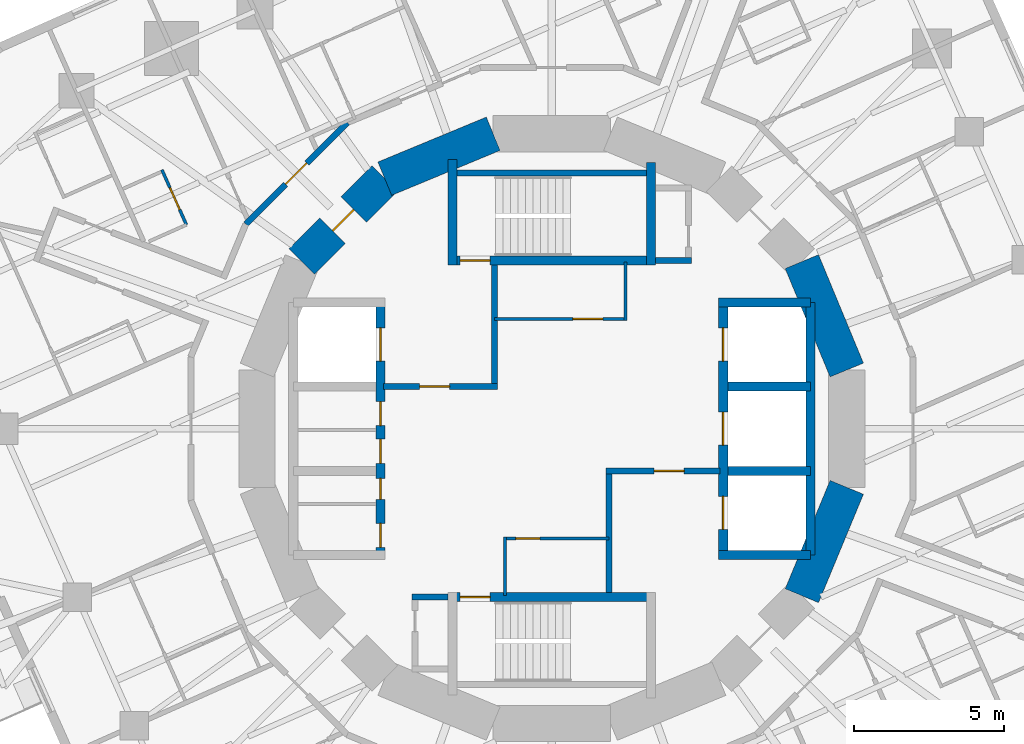
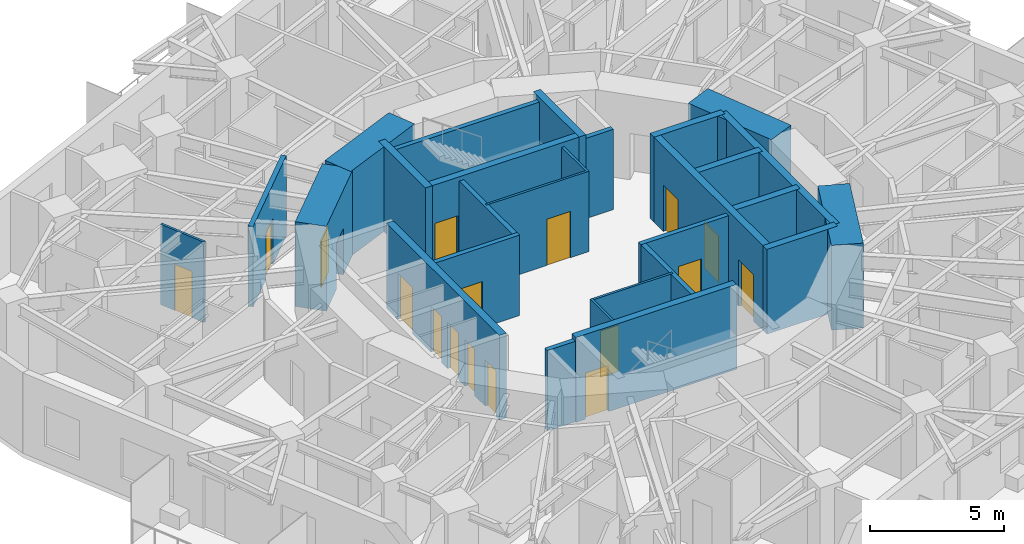
# One storey, part 7 of 12: 28 walls, 17 doors, 17 openings.
"""IFC4 building model written with IfcOpenShell, lengths in metres."""

from ifc_helpers import new_model, si_unit, direction, frame, frame_2d, origin, place, context, subcontext, project, spatial, rectangle, extrude, material, layer, layer_set, type_object, element, fill, save


model = new_model("IFC4")

# Units and contexts
model_context = context("Model", 3, precision=1e-05, world=origin(), true_north=direction((0.0, 1.0)))
body_context = subcontext(model_context, "Body", "Model", "MODEL_VIEW")
ifc_project = project(units=[si_unit("LENGTHUNIT", "METRE"), si_unit("AREAUNIT", "SQUARE_METRE"), si_unit("VOLUMEUNIT", "CUBIC_METRE"), si_unit("PLANEANGLEUNIT", "RADIAN"), si_unit("MASSUNIT", "GRAM", prefix="KILO")], contexts=[model_context])

# Site, building, storey
site_placement = place(None, origin())
site = spatial("IfcSite", under=ifc_project, at=site_placement, CompositionType="ELEMENT")
building_placement = place(site_placement, origin())
building = spatial("IfcBuilding", under=site, at=building_placement, Name="Nakasero Lantern House", CompositionType="ELEMENT")
storey_placement = place(building_placement, frame((0.0, 0.0, 194.0)))
storey = spatial("IfcBuildingStorey", under=building, at=storey_placement, Name="L47", CompositionType="ELEMENT", Elevation=194.0)

# Wall, openings, doors
ifc_material_1 = material(Name="Concrete C50/60", Category="concrete")
ifc_layer_1 = layer(ifc_material_1, 0.300048828125)
ifc_layer_set_1 = layer_set([ifc_layer_1], Name="Core inner wall 300")
wall_type_1 = type_object("IfcWallType", Name="Core inner wall 300", PredefinedType="SHEAR", material=ifc_layer_set_1)
wall_1_placement = place(storey_placement, frame((-5.699951171875, -4.199951171875, 0.0), z_axis=(0.0, 0.0, 1.0), x_axis=(0.0, 1.0, 0.0)))
wall_1 = element("IfcWall", 1, at=wall_1_placement, inside=storey, type_object=wall_type_1, Name="Core inner wall L47 LW", PredefinedType="SHEAR", context=body_context, shape_type="SweptSolid", body=[
    extrude(rectangle(XDim=8.39990234375, YDim=0.300048828125, at=frame_2d((4.199951171875, 0.0))), origin(), (0.0, 0.0, 1.0), 3.85009765625),
])
opening_1_placement = place(wall_1_placement, frame((0.25, 0.0, 0.0)))
opening_1 = element("IfcOpeningElement", 2, at=opening_1_placement, cuts=wall_1, Name="Opening D19", PredefinedType="OPENING", context=body_context, shape_type="SweptSolid", body=[
    extrude(rectangle(XDim=0.800048828125, YDim=2.10009765625, at=frame_2d((0.39990234375, 1.050048828125))), frame((0.0, 0.169921875, 0.0), z_axis=(0.0, -1.0, 0.0), x_axis=(1.0, 0.0, 0.0)), (0.0, 0.0, 1.0), 0.340087890625),
])
opening_2_placement = place(wall_1_placement, frame((1.85009765625, 0.0, 0.0)))
opening_2 = element("IfcOpeningElement", 3, at=opening_2_placement, cuts=wall_1, Name="Opening D20", PredefinedType="OPENING", context=body_context, shape_type="SweptSolid", body=[
    extrude(rectangle(XDim=0.699951171875, YDim=2.10009765625, at=frame_2d((0.35009765625, 1.050048828125))), frame((0.0, 0.169921875, 0.0), z_axis=(0.0, -1.0, 0.0), x_axis=(1.0, 0.0, 0.0)), (0.0, 0.0, 1.0), 0.340087890625),
])
opening_3_placement = place(wall_1_placement, frame((3.050048828125, 0.0, 0.0)))
opening_3 = element("IfcOpeningElement", 4, at=opening_3_placement, cuts=wall_1, Name="Opening D15", PredefinedType="OPENING", context=body_context, shape_type="SweptSolid", body=[
    extrude(rectangle(XDim=0.800048828125, YDim=2.10009765625, at=frame_2d((0.39990234375, 1.050048828125))), frame((0.0, 0.169921875, 0.0), z_axis=(0.0, -1.0, 0.0), x_axis=(1.0, 0.0, 0.0)), (0.0, 0.0, 1.0), 0.340087890625),
])
opening_4_placement = place(wall_1_placement, frame((4.300048828125, 0.0, 0.0)))
opening_4 = element("IfcOpeningElement", 5, at=opening_4_placement, cuts=wall_1, Name="Opening D15", PredefinedType="OPENING", context=body_context, shape_type="SweptSolid", body=[
    extrude(rectangle(XDim=0.800048828125, YDim=2.10009765625, at=frame_2d((0.39990234375, 1.050048828125))), frame((0.0, 0.169921875, 0.0), z_axis=(0.0, -1.0, 0.0), x_axis=(1.0, 0.0, 0.0)), (0.0, 0.0, 1.0), 0.340087890625),
])
opening_5_placement = place(wall_1_placement, frame((6.449951171875, 0.0, 0.0)))
opening_5 = element("IfcOpeningElement", 6, at=opening_5_placement, cuts=wall_1, Name="Opening LD", PredefinedType="OPENING", context=body_context, shape_type="SweptSolid", body=[
    extrude(rectangle(XDim=1.10009765625, YDim=2.10009765625, at=frame_2d((0.550048828125, 1.050048828125))), frame((0.0, 0.169921875, 0.0), z_axis=(0.0, -1.0, 0.0), x_axis=(1.0, 0.0, 0.0)), (0.0, 0.0, 1.0), 0.340087890625),
])
ifc_material_2 = material(Name="Timber C24", Category="wood")
door_type_1 = type_object("IfcDoorType", Name="Cleaner's store door FD30S 700", OperationType="SINGLE_SWING_LEFT", PredefinedType="DOOR", material=ifc_material_2)
door_1_placement = place(opening_2_placement, origin())
door_1 = element("IfcDoor", 7, at=door_1_placement, inside=storey, type_object=door_type_1, Name="Door L47 D-SH-LW1b", OperationType="SINGLE_SWING_LEFT", OverallHeight=2.10009765625, OverallWidth=0.699951171875, PredefinedType="DOOR", context=body_context, shape_type="SweptSolid", body=[
    extrude(rectangle(XDim=0.699951171875, YDim=2.10009765625, at=frame_2d((0.35009765625, 1.050048828125))), frame((0.0, 0.02490234375, 0.0), z_axis=(0.0, -1.0, 0.0), x_axis=(1.0, 0.0, 0.0)), (0.0, 0.0, 1.0), 0.050048828125),
])
fill(opening_2, door_1)
ifc_material_3 = material(Name="Timber C24", Category="wood")
door_type_2 = type_object("IfcDoorType", Name="Cleaner's store door FD30S 800", OperationType="SINGLE_SWING_LEFT", PredefinedType="DOOR", material=ifc_material_3)
door_2_placement = place(opening_3_placement, origin())
door_2 = element("IfcDoor", 8, at=door_2_placement, inside=storey, type_object=door_type_2, Name="Door L47 D-SH-LW2a", OperationType="SINGLE_SWING_LEFT", OverallHeight=2.10009765625, OverallWidth=0.800048828125, PredefinedType="DOOR", context=body_context, shape_type="SweptSolid", body=[
    extrude(rectangle(XDim=0.800048828125, YDim=2.10009765625, at=frame_2d((0.39990234375, 1.050048828125))), frame((0.0, 0.02490234375, 0.0), z_axis=(0.0, -1.0, 0.0), x_axis=(1.0, 0.0, 0.0)), (0.0, 0.0, 1.0), 0.050048828125),
])
fill(opening_3, door_2)
door_3_placement = place(opening_4_placement, origin())
door_3 = element("IfcDoor", 9, at=door_3_placement, inside=storey, type_object=door_type_2, Name="Door L47 D-SH-LW2b", OperationType="SINGLE_SWING_RIGHT", OverallHeight=2.10009765625, OverallWidth=0.800048828125, PredefinedType="DOOR", context=body_context, shape_type="SweptSolid", body=[
    extrude(rectangle(XDim=0.800048828125, YDim=2.10009765625, at=frame_2d((0.39990234375, 1.050048828125))), frame((0.0, 0.02490234375, 0.0), z_axis=(0.0, -1.0, 0.0), x_axis=(1.0, 0.0, 0.0)), (0.0, 0.0, 1.0), 0.050048828125),
])
fill(opening_4, door_3)
ifc_material_4 = material(Name="Steel S355", Category="steel")
door_type_3 = type_object("IfcDoorType", Name="Lift landing door E120 1100", OperationType="SLIDING_TO_LEFT", PredefinedType="DOOR", material=ifc_material_4)
door_4_placement = place(opening_5_placement, origin())
door_4 = element("IfcDoor", 10, at=door_4_placement, inside=storey, type_object=door_type_3, Name="Lift landing door LW3", OperationType="SLIDING_TO_LEFT", OverallHeight=2.10009765625, OverallWidth=1.10009765625, PredefinedType="DOOR", context=body_context, shape_type="SweptSolid", body=[
    extrude(rectangle(XDim=1.10009765625, YDim=2.10009765625, at=frame_2d((0.550048828125, 1.050048828125))), frame((0.0, 0.02490234375, 0.0), z_axis=(0.0, -1.0, 0.0), x_axis=(1.0, 0.0, 0.0)), (0.0, 0.0, 1.0), 0.050048828125),
])
fill(opening_5, door_4)
ifc_material_5 = material(Name="Steel S355", Category="steel")
door_type_4 = type_object("IfcDoorType", Name="Plant room door FD60 800", OperationType="SINGLE_SWING_LEFT", PredefinedType="DOOR", material=ifc_material_5)
door_5_placement = place(opening_1_placement, origin())
door_5 = element("IfcDoor", 11, at=door_5_placement, inside=storey, type_object=door_type_4, Name="Door L47 D-SH-LW1a", OperationType="SINGLE_SWING_LEFT", OverallHeight=2.10009765625, OverallWidth=0.800048828125, PredefinedType="DOOR", context=body_context, shape_type="SweptSolid", body=[
    extrude(rectangle(XDim=0.800048828125, YDim=2.10009765625, at=frame_2d((0.39990234375, 1.050048828125))), frame((0.0, 0.02490234375, 0.0), z_axis=(0.0, -1.0, 0.0), x_axis=(1.0, 0.0, 0.0)), (0.0, 0.0, 1.0), 0.050048828125),
])
fill(opening_1, door_5)

wall_2_placement = place(storey_placement, frame((5.699951171875, -4.199951171875, 0.0), z_axis=(0.0, 0.0, 1.0), x_axis=(0.0, 1.0, 0.0)))
wall_2 = element("IfcWall", 12, at=wall_2_placement, inside=storey, type_object=wall_type_1, Name="Core inner wall L47 LE", PredefinedType="SHEAR", context=body_context, shape_type="SweptSolid", body=[
    extrude(rectangle(XDim=8.39990234375, YDim=0.300048828125, at=frame_2d((4.199951171875, 0.0))), origin(), (0.0, 0.0, 1.0), 3.85009765625),
])
opening_6_placement = place(wall_2_placement, frame((0.85009765625, 0.0, 0.0)))
opening_6 = element("IfcOpeningElement", 13, at=opening_6_placement, cuts=wall_2, Name="Opening LD", PredefinedType="OPENING", context=body_context, shape_type="SweptSolid", body=[
    extrude(rectangle(XDim=1.10009765625, YDim=2.10009765625, at=frame_2d((0.550048828125, 1.050048828125))), frame((0.0, 0.169921875, 0.0), z_axis=(0.0, -1.0, 0.0), x_axis=(1.0, 0.0, 0.0)), (0.0, 0.0, 1.0), 0.340087890625),
])
opening_7_placement = place(wall_2_placement, frame((3.64990234375, 0.0, 0.0)))
opening_7 = element("IfcOpeningElement", 14, at=opening_7_placement, cuts=wall_2, Name="Opening LD", PredefinedType="OPENING", context=body_context, shape_type="SweptSolid", body=[
    extrude(rectangle(XDim=1.10009765625, YDim=2.10009765625, at=frame_2d((0.550048828125, 1.050048828125))), frame((0.0, 0.169921875, 0.0), z_axis=(0.0, -1.0, 0.0), x_axis=(1.0, 0.0, 0.0)), (0.0, 0.0, 1.0), 0.340087890625),
])
opening_8_placement = place(wall_2_placement, frame((6.449951171875, 0.0, 0.0)))
opening_8 = element("IfcOpeningElement", 15, at=opening_8_placement, cuts=wall_2, Name="Opening LD", PredefinedType="OPENING", context=body_context, shape_type="SweptSolid", body=[
    extrude(rectangle(XDim=1.10009765625, YDim=2.10009765625, at=frame_2d((0.550048828125, 1.050048828125))), frame((0.0, 0.169921875, 0.0), z_axis=(0.0, -1.0, 0.0), x_axis=(1.0, 0.0, 0.0)), (0.0, 0.0, 1.0), 0.340087890625),
])
door_6_placement = place(opening_6_placement, origin())
door_6 = element("IfcDoor", 16, at=door_6_placement, inside=storey, type_object=door_type_3, Name="Lift landing door LE1", OperationType="SLIDING_TO_LEFT", OverallHeight=2.10009765625, OverallWidth=1.10009765625, PredefinedType="DOOR", context=body_context, shape_type="SweptSolid", body=[
    extrude(rectangle(XDim=1.10009765625, YDim=2.10009765625, at=frame_2d((0.550048828125, 1.050048828125))), frame((0.0, 0.02490234375, 0.0), z_axis=(0.0, -1.0, 0.0), x_axis=(1.0, 0.0, 0.0)), (0.0, 0.0, 1.0), 0.050048828125),
])
fill(opening_6, door_6)
door_7_placement = place(opening_7_placement, origin())
door_7 = element("IfcDoor", 17, at=door_7_placement, inside=storey, type_object=door_type_3, Name="Lift landing door LE2", OperationType="SLIDING_TO_LEFT", OverallHeight=2.10009765625, OverallWidth=1.10009765625, PredefinedType="DOOR", context=body_context, shape_type="SweptSolid", body=[
    extrude(rectangle(XDim=1.10009765625, YDim=2.10009765625, at=frame_2d((0.550048828125, 1.050048828125))), frame((0.0, 0.02490234375, 0.0), z_axis=(0.0, -1.0, 0.0), x_axis=(1.0, 0.0, 0.0)), (0.0, 0.0, 1.0), 0.050048828125),
])
fill(opening_7, door_7)
door_8_placement = place(opening_8_placement, origin())
door_8 = element("IfcDoor", 18, at=door_8_placement, inside=storey, type_object=door_type_3, Name="Lift landing door LE3", OperationType="SLIDING_TO_LEFT", OverallHeight=2.10009765625, OverallWidth=1.10009765625, PredefinedType="DOOR", context=body_context, shape_type="SweptSolid", body=[
    extrude(rectangle(XDim=1.10009765625, YDim=2.10009765625, at=frame_2d((0.550048828125, 1.050048828125))), frame((0.0, 0.02490234375, 0.0), z_axis=(0.0, -1.0, 0.0), x_axis=(1.0, 0.0, 0.0)), (0.0, 0.0, 1.0), 0.050048828125),
])
fill(opening_8, door_8)

# Walls
for number, where, z_axis, x_axis, name in (
    (19, (5.550048828125, 4.199951171875, 0.0), (0.0, 0.0, 1.0), (1.0, 0.0, 0.0), "Core inner wall L47 LEN"),
    (20, (5.550048828125, -4.199951171875, 0.0), (0.0, 0.0, 1.0), (1.0, 0.0, 0.0), "Core inner wall L47 LES"),
):
    element("IfcWall", number, at=place(storey_placement, frame(where, z_axis=z_axis, x_axis=x_axis)), inside=storey, type_object=wall_type_1, Name=name, PredefinedType="SHEAR", context=body_context, shape_type="SweptSolid", body=[
        extrude(rectangle(XDim=3.050048828125, YDim=0.300048828125, at=frame_2d((1.52490234375, 0.0))), origin(), (0.0, 0.0, 1.0), 3.85009765625),
    ])
wall_3_placement = place(storey_placement, frame((8.60009765625, -4.199951171875, 0.0), z_axis=(0.0, 0.0, 1.0), x_axis=(0.0, 1.0, 0.0)))
element("IfcWall", 21, at=wall_3_placement, inside=storey, type_object=wall_type_1, Name="Core inner wall L47 LEB", PredefinedType="SHEAR", context=body_context, shape_type="SweptSolid", body=[
    extrude(rectangle(XDim=8.39990234375, YDim=0.300048828125, at=frame_2d((4.199951171875, 0.0))), origin(), (0.0, 0.0, 1.0), 3.85009765625),
])
for number, where, z_axis, x_axis, name in (
    (22, (5.85009765625, -1.39990234375, 0.0), (0.0, 0.0, 1.0), (1.0, 0.0, 0.0), "Core inner wall L47 LE1"),
    (23, (5.85009765625, 1.39990234375, 0.0), (0.0, 0.0, 1.0), (1.0, 0.0, 0.0), "Core inner wall L47 LE2"),
):
    element("IfcWall", number, at=place(storey_placement, frame(where, z_axis=z_axis, x_axis=x_axis)), inside=storey, type_object=wall_type_1, Name=name, PredefinedType="SHEAR", context=body_context, shape_type="SweptSolid", body=[
        extrude(rectangle(XDim=2.75, YDim=0.300048828125, at=frame_2d((1.375, 0.0))), origin(), (0.0, 0.0, 1.0), 3.85009765625),
    ])

# Wall, opening, door
wall_4_placement = place(storey_placement, frame((-3.449951171875, 5.60009765625, 0.0), z_axis=(0.0, 0.0, 1.0), x_axis=(1.0, 0.0, 0.0)))
wall_4 = element("IfcWall", 24, at=wall_4_placement, inside=storey, type_object=wall_type_1, Name="Core inner wall L47 SN", PredefinedType="SHEAR", context=body_context, shape_type="SweptSolid", body=[
    extrude(rectangle(XDim=6.89990234375, YDim=0.300048828125, at=frame_2d((3.449951171875, 0.0))), origin(), (0.0, 0.0, 1.0), 3.85009765625),
])
opening_9_placement = place(wall_4_placement, frame((0.39990234375, 0.0, 0.0)))
opening_9 = element("IfcOpeningElement", 25, at=opening_9_placement, cuts=wall_4, Name="Opening D05", PredefinedType="OPENING", context=body_context, shape_type="SweptSolid", body=[
    extrude(rectangle(XDim=1.0, YDim=2.10009765625, at=frame_2d((0.5, 1.050048828125))), frame((0.0, 0.169921875, 0.0), z_axis=(0.0, -1.0, 0.0), x_axis=(1.0, 0.0, 0.0)), (0.0, 0.0, 1.0), 0.340087890625),
])
ifc_material_6 = material(Name="Timber C24", Category="wood")
door_type_5 = type_object("IfcDoorType", Name="Core door FD60S 1000", OperationType="SINGLE_SWING_LEFT", PredefinedType="DOOR", material=ifc_material_6)
door_9_placement = place(opening_9_placement, origin())
door_9 = element("IfcDoor", 26, at=door_9_placement, inside=storey, type_object=door_type_5, Name="Door L47 D-ST1", OperationType="SINGLE_SWING_LEFT", OverallHeight=2.10009765625, OverallWidth=1.0, PredefinedType="DOOR", context=body_context, shape_type="SweptSolid", body=[
    extrude(rectangle(XDim=1.0, YDim=2.10009765625, at=frame_2d((0.5, 1.050048828125))), frame((0.0, 0.02490234375, 0.0), z_axis=(0.0, -1.0, 0.0), x_axis=(1.0, 0.0, 0.0)), (0.0, 0.0, 1.0), 0.050048828125),
])
fill(opening_9, door_9)

# Walls
wall_5_placement = place(storey_placement, frame((-3.300048828125, 5.449951171875, 0.0), z_axis=(0.0, 0.0, 1.0), x_axis=(0.0, 1.0, 0.0)))
element("IfcWall", 27, at=wall_5_placement, inside=storey, type_object=wall_type_1, Name="Core inner wall L47 SNW", PredefinedType="SHEAR", context=body_context, shape_type="SweptSolid", body=[
    extrude(rectangle(XDim=3.5, YDim=0.300048828125, at=frame_2d((1.75, 0.0))), origin(), (0.0, 0.0, 1.0), 3.85009765625),
])
wall_6_placement = place(storey_placement, frame((3.300048828125, 5.449951171875, 0.0), z_axis=(0.0, 0.0, 1.0), x_axis=(0.0, 1.0, 0.0)))
element("IfcWall", 28, at=wall_6_placement, inside=storey, type_object=wall_type_1, Name="Core inner wall L47 SNE", PredefinedType="SHEAR", context=body_context, shape_type="SweptSolid", body=[
    extrude(rectangle(XDim=3.400146484375, YDim=0.300048828125, at=frame_2d((1.7001953125, 0.0))), origin(), (0.0, 0.0, 1.0), 3.85009765625),
])

# Wall, opening, door
wall_7_placement = place(storey_placement, frame((-3.449951171875, -5.60009765625, 0.0), z_axis=(0.0, 0.0, 1.0), x_axis=(1.0, 0.0, 0.0)))
wall_7 = element("IfcWall", 29, at=wall_7_placement, inside=storey, type_object=wall_type_1, Name="Core inner wall L47 SS", PredefinedType="SHEAR", context=body_context, shape_type="SweptSolid", body=[
    extrude(rectangle(XDim=6.89990234375, YDim=0.300048828125, at=frame_2d((3.449951171875, 0.0))), origin(), (0.0, 0.0, 1.0), 3.85009765625),
])
opening_10_placement = place(wall_7_placement, frame((0.39990234375, 0.0, 0.0)))
opening_10 = element("IfcOpeningElement", 30, at=opening_10_placement, cuts=wall_7, Name="Opening D05", PredefinedType="OPENING", context=body_context, shape_type="SweptSolid", body=[
    extrude(rectangle(XDim=1.0, YDim=2.10009765625, at=frame_2d((0.5, 1.050048828125))), frame((0.0, 0.169921875, 0.0), z_axis=(0.0, -1.0, 0.0), x_axis=(1.0, 0.0, 0.0)), (0.0, 0.0, 1.0), 0.340087890625),
])
door_10_placement = place(opening_10_placement, origin())
door_10 = element("IfcDoor", 31, at=door_10_placement, inside=storey, type_object=door_type_5, Name="Door L47 D-ST2", OperationType="SINGLE_SWING_LEFT", OverallHeight=2.10009765625, OverallWidth=1.0, PredefinedType="DOOR", context=body_context, shape_type="SweptSolid", body=[
    extrude(rectangle(XDim=1.0, YDim=2.10009765625, at=frame_2d((0.5, 1.050048828125))), frame((0.0, 0.02490234375, 0.0), z_axis=(0.0, -1.0, 0.0), x_axis=(1.0, 0.0, 0.0)), (0.0, 0.0, 1.0), 0.050048828125),
])
fill(opening_10, door_10)

ifc_material_7 = material(Name="Blockwork", Category="masonry")
ifc_layer_2 = layer(ifc_material_7, 0.10009765625)
ifc_layer_set_2 = layer_set([ifc_layer_2], Name="Core room wall 100")
wall_type_2 = type_object("IfcWallType", Name="Core room wall 100", PredefinedType="PARTITIONING", material=ifc_layer_set_2)
wall_8_placement = place(storey_placement, frame((-1.89990234375, 3.64990234375, 0.0), z_axis=(0.0, 0.0, 1.0), x_axis=(1.0, 0.0, 0.0)))
wall_8 = element("IfcWall", 32, at=wall_8_placement, inside=storey, type_object=wall_type_2, Name="Core room wall L47 CR-NES", PredefinedType="PARTITIONING", context=body_context, shape_type="SweptSolid", body=[
    extrude(rectangle(XDim=4.39990234375, YDim=0.10009765625, at=frame_2d((2.199951171875, 0.0))), origin(), (0.0, 0.0, 1.0), 3.64990234375),
])
opening_11_placement = place(wall_8_placement, frame((2.60009765625, 0.0, 0.0)))
opening_11 = element("IfcOpeningElement", 33, at=opening_11_placement, cuts=wall_8, Name="Opening D07", PredefinedType="OPENING", context=body_context, shape_type="SweptSolid", body=[
    extrude(rectangle(XDim=1.0, YDim=2.10009765625, at=frame_2d((0.5, 1.050048828125))), frame((0.0, 0.070068359375, 0.0), z_axis=(0.0, -1.0, 0.0), x_axis=(1.0, 0.0, 0.0)), (0.0, 0.0, 1.0), 0.14013671875),
])
ifc_material_8 = material(Name="Timber C24", Category="wood")
door_type_6 = type_object("IfcDoorType", Name="Room door FD30S 1000", OperationType="SINGLE_SWING_LEFT", PredefinedType="DOOR", material=ifc_material_8)
door_11_placement = place(opening_11_placement, origin())
door_11 = element("IfcDoor", 34, at=door_11_placement, inside=storey, type_object=door_type_6, Name="Door L47 D-CR-NE", OperationType="SINGLE_SWING_RIGHT", OverallHeight=2.10009765625, OverallWidth=1.0, PredefinedType="DOOR", context=body_context, shape_type="SweptSolid", body=[
    extrude(rectangle(XDim=1.0, YDim=2.10009765625, at=frame_2d((0.5, 1.050048828125))), frame((0.0, 0.02490234375, 0.0), z_axis=(0.0, -1.0, 0.0), x_axis=(1.0, 0.0, 0.0)), (0.0, 0.0, 1.0), 0.050048828125),
])
fill(opening_11, door_11)

# Wall
wall_9_placement = place(storey_placement, frame((2.449951171875, 3.60009765625, 0.0), z_axis=(0.0, 0.0, 1.0), x_axis=(0.0, 1.0, 0.0)))
element("IfcWall", 35, at=wall_9_placement, inside=storey, type_object=wall_type_2, Name="Core room wall L47 CR-NEE", PredefinedType="PARTITIONING", context=body_context, shape_type="SweptSolid", body=[
    extrude(rectangle(XDim=1.949951171875, YDim=0.10009765625, at=frame_2d((0.97509765625, 0.0))), origin(), (0.0, 0.0, 1.0), 3.64990234375),
])

# Wall, opening, door
wall_10_placement = place(storey_placement, frame((-1.60009765625, -3.64990234375, 0.0), z_axis=(0.0, 0.0, 1.0), x_axis=(1.0, 0.0, 0.0)))
wall_10 = element("IfcWall", 36, at=wall_10_placement, inside=storey, type_object=wall_type_2, Name="Core room wall L47 CR-SWN", PredefinedType="PARTITIONING", context=body_context, shape_type="SweptSolid", body=[
    extrude(rectangle(XDim=3.5, YDim=0.10009765625, at=frame_2d((1.75, 0.0))), origin(), (0.0, 0.0, 1.0), 3.64990234375),
])
opening_12_placement = place(wall_10_placement, frame((0.39990234375, 0.0, 0.0)))
opening_12 = element("IfcOpeningElement", 37, at=opening_12_placement, cuts=wall_10, Name="Opening D15", PredefinedType="OPENING", context=body_context, shape_type="SweptSolid", body=[
    extrude(rectangle(XDim=0.800048828125, YDim=2.10009765625, at=frame_2d((0.39990234375, 1.050048828125))), frame((0.0, 0.070068359375, 0.0), z_axis=(0.0, -1.0, 0.0), x_axis=(1.0, 0.0, 0.0)), (0.0, 0.0, 1.0), 0.14013671875),
])
door_12_placement = place(opening_12_placement, origin())
door_12 = element("IfcDoor", 38, at=door_12_placement, inside=storey, type_object=door_type_2, Name="Door L47 D-CR-SW", OperationType="SINGLE_SWING_LEFT", OverallHeight=2.10009765625, OverallWidth=0.800048828125, PredefinedType="DOOR", context=body_context, shape_type="SweptSolid", body=[
    extrude(rectangle(XDim=0.800048828125, YDim=2.10009765625, at=frame_2d((0.39990234375, 1.050048828125))), frame((0.0, 0.02490234375, 0.0), z_axis=(0.0, -1.0, 0.0), x_axis=(1.0, 0.0, 0.0)), (0.0, 0.0, 1.0), 0.050048828125),
])
fill(opening_12, door_12)

# Walls
wall_11_placement = place(storey_placement, frame((-1.550048828125, -5.550048828125, 0.0), z_axis=(0.0, 0.0, 1.0), x_axis=(0.0, 1.0, 0.0)))
element("IfcWall", 39, at=wall_11_placement, inside=storey, type_object=wall_type_2, Name="Core room wall L47 CR-SWW", PredefinedType="PARTITIONING", context=body_context, shape_type="SweptSolid", body=[
    extrude(rectangle(XDim=1.949951171875, YDim=0.10009765625, at=frame_2d((0.97509765625, 0.0))), origin(), (0.0, 0.0, 1.0), 3.64990234375),
])
ifc_material_9 = material(Name="Concrete C50/60", Category="concrete")
ifc_layer_3 = layer(ifc_material_9, 1.199951171875)
ifc_layer_set_3 = layer_set([ifc_layer_3], Name="Core wall 1200")
wall_type_3 = type_object("IfcWallType", Name="Core wall 1200", PredefinedType="SHEAR", material=ifc_layer_set_3)
for number, where, z_axis, x_axis, name in (
    (40, (9.807861328125, 1.950927734375, 0.0), (0.0, 0.0, 1.0), (-0.382690736062, 0.923876507187, 0.0), "Core wall L47 facet 1"),
    (41, (-1.950927734375, 9.807861328125, 0.0), (0.0, 0.0, 1.0), (-0.923876507187, -0.382690736062, 0.0), "Core wall L47 facet 5"),
):
    element("IfcWall", number, at=place(storey_placement, frame(where, z_axis=z_axis, x_axis=x_axis)), inside=storey, type_object=wall_type_3, Name=name, PredefinedType="SHEAR", context=body_context, shape_type="SweptSolid", body=[
        extrude(rectangle(XDim=3.90185546875, YDim=1.199951171875, at=frame_2d((1.950927734375, 0.0))), origin(), (0.0, 0.0, 1.0), 3.85009765625),
    ])

# Wall, opening, door
wall_12_placement = place(storey_placement, frame((-5.5556640625, 8.314697265625, 0.0), z_axis=(0.0, 0.0, 1.0), x_axis=(-0.707106781187, -0.707106781187, 0.0)))
wall_12 = element("IfcWall", 42, at=wall_12_placement, inside=storey, type_object=wall_type_3, Name="Core wall L47 facet 6", PredefinedType="SHEAR", context=body_context, shape_type="SweptSolid", body=[
    extrude(rectangle(XDim=3.90185546875, YDim=1.199951171875, at=frame_2d((1.950927734375, 0.0))), origin(), (0.0, 0.0, 1.0), 3.85009765625),
])
opening_13_placement = place(wall_12_placement, frame((1.450927734375, 0.0, 0.0)))
opening_13 = element("IfcOpeningElement", 43, at=opening_13_placement, cuts=wall_12, Name="Opening D05", PredefinedType="OPENING", context=body_context, shape_type="SweptSolid", body=[
    extrude(rectangle(XDim=1.0, YDim=2.10009765625, at=frame_2d((0.5, 1.050048828125))), frame((0.0, 0.619873046875, 0.0), z_axis=(0.0, -1.0, 0.0), x_axis=(1.0, 0.0, 0.0)), (0.0, 0.0, 1.0), 1.239990234375),
])
door_13_placement = place(opening_13_placement, origin())
door_13 = element("IfcDoor", 44, at=door_13_placement, inside=storey, type_object=door_type_5, Name="Door L47 D-CORE06", OperationType="SINGLE_SWING_LEFT", OverallHeight=2.10009765625, OverallWidth=1.0, PredefinedType="DOOR", context=body_context, shape_type="SweptSolid", body=[
    extrude(rectangle(XDim=1.0, YDim=2.10009765625, at=frame_2d((0.5, 1.050048828125))), frame((0.0, 0.02490234375, 0.0), z_axis=(0.0, -1.0, 0.0), x_axis=(1.0, 0.0, 0.0)), (0.0, 0.0, 1.0), 0.050048828125),
])
fill(opening_13, door_13)

# Wall
wall_13_placement = place(storey_placement, frame((8.314697265625, -5.5556640625, 0.0), z_axis=(0.0, 0.0, 1.0), x_axis=(0.382690736062, 0.923876507187, 0.0)))
element("IfcWall", 45, at=wall_13_placement, inside=storey, type_object=wall_type_3, Name="Core wall L47 facet 15", PredefinedType="SHEAR", context=body_context, shape_type="SweptSolid", body=[
    extrude(rectangle(XDim=3.90185546875, YDim=1.199951171875, at=frame_2d((1.950927734375, 0.0))), origin(), (0.0, 0.0, 1.0), 3.85009765625),
])

# Wall, opening, door
ifc_material_10 = material(Name="Blockwork", Category="masonry")
ifc_layer_4 = layer(ifc_material_10, 0.199951171875)
ifc_layer_set_4 = layer_set([ifc_layer_4], Name="Corridor wall 200")
wall_type_4 = type_object("IfcWallType", Name="Corridor wall 200", PredefinedType="PARTITIONING", material=ifc_layer_set_4)
wall_14_placement = place(storey_placement, frame((-10.1796875, 6.802001953125, 0.0), z_axis=(0.0, 0.0, 1.0), x_axis=(0.707106781187, 0.707106781187, 0.0)))
wall_14 = element("IfcWall", 46, at=wall_14_placement, inside=storey, type_object=wall_type_4, Name="Corridor wall L47 RC10a", PredefinedType="PARTITIONING", context=body_context, shape_type="SweptSolid", body=[
    extrude(rectangle(XDim=4.77685546875, YDim=0.199951171875, at=frame_2d((2.388427734375, 0.0))), origin(), (0.0, 0.0, 1.0), 3.64990234375),
])
opening_14_placement = place(wall_14_placement, frame((1.8701171875, 0.0, 0.0)))
opening_14 = element("IfcOpeningElement", 47, at=opening_14_placement, cuts=wall_14, Name="Opening D14", PredefinedType="OPENING", context=body_context, shape_type="SweptSolid", body=[
    extrude(rectangle(XDim=1.0, YDim=2.10009765625, at=frame_2d((0.5, 1.050048828125))), frame((0.0, 0.119873046875, 0.0), z_axis=(0.0, -1.0, 0.0), x_axis=(1.0, 0.0, 0.0)), (0.0, 0.0, 1.0), 0.239990234375),
])
ifc_material_11 = material(Name="Timber C24", Category="wood")
door_type_7 = type_object("IfcDoorType", Name="Cluster entrance door FD30S 1000", OperationType="SINGLE_SWING_LEFT", PredefinedType="DOOR", material=ifc_material_11)
door_14_placement = place(opening_14_placement, origin())
door_14 = element("IfcDoor", 48, at=door_14_placement, inside=storey, type_object=door_type_7, Name="Door L47 D1-04", OperationType="SINGLE_SWING_LEFT", OverallHeight=2.10009765625, OverallWidth=1.0, PredefinedType="DOOR", context=body_context, shape_type="SweptSolid", body=[
    extrude(rectangle(XDim=1.0, YDim=2.10009765625, at=frame_2d((0.5, 1.050048828125))), frame((0.0, 0.02490234375, 0.0), z_axis=(0.0, -1.0, 0.0), x_axis=(1.0, 0.0, 0.0)), (0.0, 0.0, 1.0), 0.050048828125),
])
fill(opening_14, door_14)

ifc_material_12 = material(Name="Blockwork", Category="masonry")
ifc_layer_5 = layer(ifc_material_12, 0.10009765625)
ifc_layer_set_5 = layer_set([ifc_layer_5], Name="En-suite wall 100")
wall_type_5 = type_object("IfcWallType", Name="En-suite wall 100", PredefinedType="PARTITIONING", material=ifc_layer_set_5)
wall_15_placement = place(storey_placement, frame((-12.153564453125, 6.78125, 0.0), z_axis=(0.0, 0.0, 1.0), x_axis=(-0.406772684097, 0.913529410294, 0.0)))
wall_15 = element("IfcWall", 49, at=wall_15_placement, inside=storey, type_object=wall_type_5, Name="En-suite wall L47 ES1-05", PredefinedType="PARTITIONING", context=body_context, shape_type="SweptSolid", body=[
    extrude(rectangle(XDim=1.999755859375, YDim=0.10009765625, at=frame_2d((1.0, 0.0))), origin(), (0.0, 0.0, 1.0), 3.64990234375),
])
opening_15_placement = place(wall_15_placement, frame((0.550048828125, 0.0, 0.0)))
opening_15 = element("IfcOpeningElement", 50, at=opening_15_placement, cuts=wall_15, Name="Opening D02", PredefinedType="OPENING", context=body_context, shape_type="SweptSolid", body=[
    extrude(rectangle(XDim=0.800048828125, YDim=2.10009765625, at=frame_2d((0.39990234375, 1.050048828125))), frame((0.0, 0.070068359375, 0.0), z_axis=(0.0, -1.0, 0.0), x_axis=(1.0, 0.0, 0.0)), (0.0, 0.0, 1.0), 0.14013671875),
])
ifc_material_13 = material(Name="Timber C24", Category="wood")
door_type_8 = type_object("IfcDoorType", Name="En-suite door 800", OperationType="SINGLE_SWING_RIGHT", PredefinedType="DOOR", material=ifc_material_13)
door_15_placement = place(opening_15_placement, origin())
door_15 = element("IfcDoor", 51, at=door_15_placement, inside=storey, type_object=door_type_8, Name="Door L47 DE1-05", OperationType="SINGLE_SWING_LEFT", OverallHeight=2.10009765625, OverallWidth=0.800048828125, PredefinedType="DOOR", context=body_context, shape_type="SweptSolid", body=[
    extrude(rectangle(XDim=0.800048828125, YDim=2.10009765625, at=frame_2d((0.39990234375, 1.050048828125))), frame((0.0, 0.02490234375, 0.0), z_axis=(0.0, -1.0, 0.0), x_axis=(1.0, 0.0, 0.0)), (0.0, 0.0, 1.0), 0.050048828125),
])
fill(opening_15, door_15)

ifc_material_14 = material(Name="Blockwork", Category="masonry")
ifc_layer_6 = layer(ifc_material_14, 0.199951171875)
ifc_layer_set_6 = layer_set([ifc_layer_6], Name="Fire lobby wall 200")
wall_type_6 = type_object("IfcWallType", Name="Fire lobby wall 200", PredefinedType="PARTITIONING", material=ifc_layer_set_6)
wall_16_placement = place(storey_placement, frame((-5.60009765625, 1.39990234375, 0.0), z_axis=(0.0, 0.0, 1.0), x_axis=(1.0, 0.0, 0.0)))
wall_16 = element("IfcWall", 52, at=wall_16_placement, inside=storey, type_object=wall_type_6, Name="Fire lobby wall L47 W-FL1S", PredefinedType="PARTITIONING", context=body_context, shape_type="SweptSolid", body=[
    extrude(rectangle(XDim=3.800048828125, YDim=0.199951171875, at=frame_2d((1.89990234375, 0.0))), origin(), (0.0, 0.0, 1.0), 3.64990234375),
])
opening_16_placement = place(wall_16_placement, frame((1.199951171875, 0.0, 0.0)))
opening_16 = element("IfcOpeningElement", 53, at=opening_16_placement, cuts=wall_16, Name="Opening D05", PredefinedType="OPENING", context=body_context, shape_type="SweptSolid", body=[
    extrude(rectangle(XDim=1.0, YDim=2.10009765625, at=frame_2d((0.5, 1.050048828125))), frame((0.0, 0.119873046875, 0.0), z_axis=(0.0, -1.0, 0.0), x_axis=(1.0, 0.0, 0.0)), (0.0, 0.0, 1.0), 0.239990234375),
])
door_16_placement = place(opening_16_placement, origin())
door_16 = element("IfcDoor", 54, at=door_16_placement, inside=storey, type_object=door_type_5, Name="Door L47 D-FL1", OperationType="SINGLE_SWING_LEFT", OverallHeight=2.10009765625, OverallWidth=1.0, PredefinedType="DOOR", context=body_context, shape_type="SweptSolid", body=[
    extrude(rectangle(XDim=1.0, YDim=2.10009765625, at=frame_2d((0.5, 1.050048828125))), frame((0.0, 0.02490234375, 0.0), z_axis=(0.0, -1.0, 0.0), x_axis=(1.0, 0.0, 0.0)), (0.0, 0.0, 1.0), 0.050048828125),
])
fill(opening_16, door_16)

# Wall
wall_17_placement = place(storey_placement, frame((-1.89990234375, 1.5, 0.0), z_axis=(0.0, 0.0, 1.0), x_axis=(0.0, 1.0, 0.0)))
element("IfcWall", 55, at=wall_17_placement, inside=storey, type_object=wall_type_6, Name="Fire lobby wall L47 W-FL1E", PredefinedType="PARTITIONING", context=body_context, shape_type="SweptSolid", body=[
    extrude(rectangle(XDim=3.949951171875, YDim=0.199951171875, at=frame_2d((1.97509765625, 0.0))), origin(), (0.0, 0.0, 1.0), 3.64990234375),
])

# Wall, opening, door
wall_18_placement = place(storey_placement, frame((5.60009765625, -1.39990234375, 0.0), z_axis=(0.0, 0.0, 1.0), x_axis=(-1.0, 0.0, 0.0)))
wall_18 = element("IfcWall", 56, at=wall_18_placement, inside=storey, type_object=wall_type_6, Name="Fire lobby wall L47 W-FL2N", PredefinedType="PARTITIONING", context=body_context, shape_type="SweptSolid", body=[
    extrude(rectangle(XDim=3.800048828125, YDim=0.199951171875, at=frame_2d((1.89990234375, 0.0))), origin(), (0.0, 0.0, 1.0), 3.64990234375),
])
opening_17_placement = place(wall_18_placement, frame((1.199951171875, 0.0, 0.0)))
opening_17 = element("IfcOpeningElement", 57, at=opening_17_placement, cuts=wall_18, Name="Opening D05", PredefinedType="OPENING", context=body_context, shape_type="SweptSolid", body=[
    extrude(rectangle(XDim=1.0, YDim=2.10009765625, at=frame_2d((0.5, 1.050048828125))), frame((0.0, 0.119873046875, 0.0), z_axis=(0.0, -1.0, 0.0), x_axis=(1.0, 0.0, 0.0)), (0.0, 0.0, 1.0), 0.239990234375),
])
door_17_placement = place(opening_17_placement, origin())
door_17 = element("IfcDoor", 58, at=door_17_placement, inside=storey, type_object=door_type_5, Name="Door L47 D-FL2", OperationType="SINGLE_SWING_LEFT", OverallHeight=2.10009765625, OverallWidth=1.0, PredefinedType="DOOR", context=body_context, shape_type="SweptSolid", body=[
    extrude(rectangle(XDim=1.0, YDim=2.10009765625, at=frame_2d((0.5, 1.050048828125))), frame((0.0, 0.02490234375, 0.0), z_axis=(0.0, -1.0, 0.0), x_axis=(1.0, 0.0, 0.0)), (0.0, 0.0, 1.0), 0.050048828125),
])
fill(opening_17, door_17)

# Walls
wall_19_placement = place(storey_placement, frame((1.89990234375, -1.5, 0.0), z_axis=(0.0, 0.0, 1.0), x_axis=(0.0, -1.0, 0.0)))
element("IfcWall", 59, at=wall_19_placement, inside=storey, type_object=wall_type_6, Name="Fire lobby wall L47 W-FL2W", PredefinedType="PARTITIONING", context=body_context, shape_type="SweptSolid", body=[
    extrude(rectangle(XDim=3.949951171875, YDim=0.199951171875, at=frame_2d((1.97509765625, 0.0))), origin(), (0.0, 0.0, 1.0), 3.64990234375),
])
for number, where, z_axis, x_axis, name in (
    (60, (3.449951171875, 5.60009765625, 0.0), (0.0, 0.0, 1.0), (1.0, 0.0, 0.0), "Fire lobby wall L47 W-RS1S"),
    (61, (-3.449951171875, -5.60009765625, 0.0), (0.0, 0.0, 1.0), (-1.0, 0.0, 0.0), "Fire lobby wall L47 W-RS2N"),
):
    element("IfcWall", number, at=place(storey_placement, frame(where, z_axis=z_axis, x_axis=x_axis)), inside=storey, type_object=wall_type_6, Name=name, PredefinedType="PARTITIONING", context=body_context, shape_type="SweptSolid", body=[
        extrude(rectangle(XDim=1.199951171875, YDim=0.199951171875, at=frame_2d((0.60009765625, 0.0))), origin(), (0.0, 0.0, 1.0), 3.64990234375),
    ])
wall_20_placement = place(storey_placement, frame((-3.300048828125, 8.5, 0.0), z_axis=(0.0, 0.0, 1.0), x_axis=(1.0, 0.0, 0.0)))
element("IfcWall", 62, at=wall_20_placement, inside=storey, type_object=wall_type_6, Name="Fire lobby wall L47 W-STN", PredefinedType="PARTITIONING", context=body_context, shape_type="SweptSolid", body=[
    extrude(rectangle(XDim=6.60009765625, YDim=0.199951171875, at=frame_2d((3.300048828125, 0.0))), origin(), (0.0, 0.0, 1.0), 3.64990234375),
])

save(model, "model.ifc")
